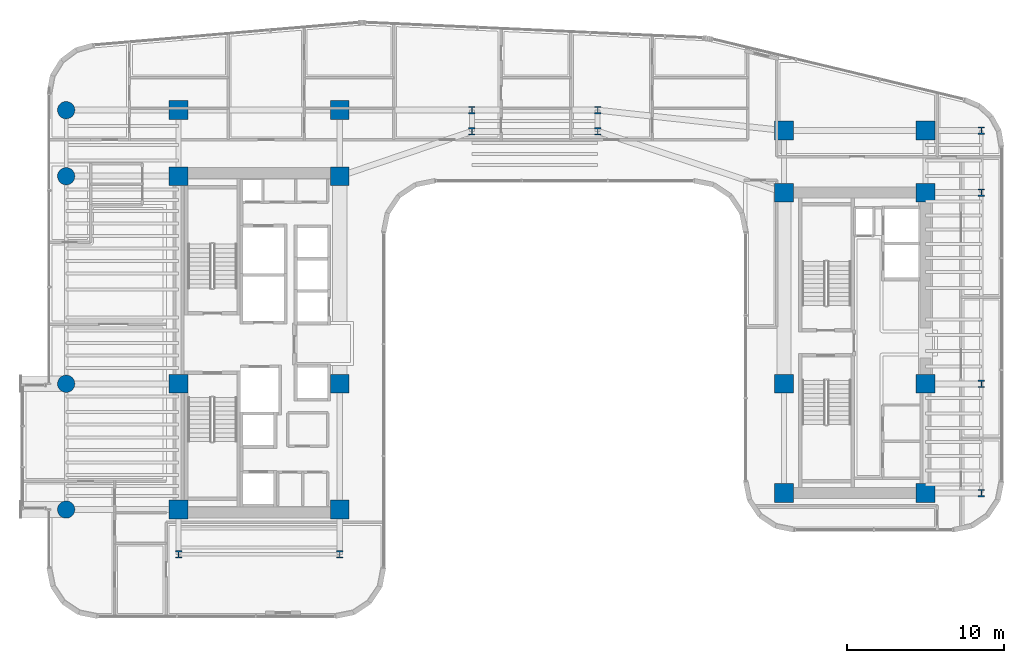
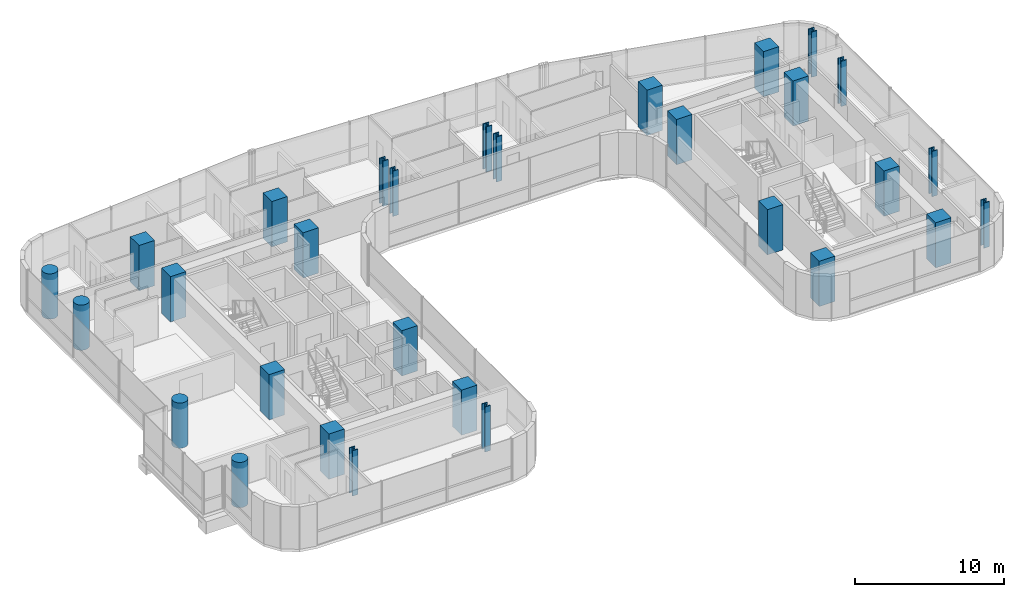
# One storey, part 1 of 38: 30 columns.
"""IFC4 building model written with IfcOpenShell, lengths in metres."""

import ifcopenshell
import ifcopenshell.guid

model = None  # the IFC model being written
_history = None  # IfcOwnerHistory: only IFC2X3 demands one
_inside = {}  # id of a spatial element -> (the spatial element, [elements in it])
_under = {}  # id of a project, library or spatial element -> (it, [spatial elements below it])
_declared = {}  # id of a project -> (the project, [libraries it declares])
_typed = {}  # id of a type object -> (the type object, [elements of that type])
_made_of = {}  # id of a material, layer set ... -> (it, [elements and type objects made of it])


def new_model(schema):
    """Start an empty IFC model of exactly this schema.

    Asked for "IFC4X3", IfcOpenShell would pick the latest addendum, in which some entities
    have other attributes; the version numbers below select the first issue.
    IFC2X3 requires an IfcOwnerHistory on every rooted entity: one is made here for all.
    """
    global model, _history
    if schema == "IFC4X3":
        model = ifcopenshell.file(schema_version=(4, 3, 0, 0))
    else:
        model = ifcopenshell.file(schema=schema)
    _inside.clear()
    _under.clear()
    _declared.clear()
    _typed.clear()
    _made_of.clear()
    _history = None
    if model.schema == "IFC2X3":
        org = make("IfcOrganization", Name="unknown")
        user = make(
            "IfcPersonAndOrganization",
            ThePerson=make("IfcPerson", FamilyName="unknown"),
            TheOrganization=org,
        )
        app = make(
            "IfcApplication",
            ApplicationDeveloper=org,
            Version="unknown",
            ApplicationFullName="unknown",
            ApplicationIdentifier="unknown",
        )
        _history = make(
            "IfcOwnerHistory",
            OwningUser=user,
            OwningApplication=app,
            ChangeAction="ADDED",
            CreationDate=0,
        )
    return model


def make(cls, **values):
    """One entity of the class cls with the attributes given. An attribute that is None is left unset."""
    return model.create_entity(
        cls, **{name: value for name, value in values.items() if value is not None}
    )


def rooted(cls, **values):
    """An entity with a GlobalId (a new one), such as an element, a storey or a relation."""
    return make(cls, GlobalId=ifcopenshell.guid.new(), OwnerHistory=_history, **values)


def si_unit(unit_type, name, prefix=None):
    """IfcSIUnit, for example si_unit("LENGTHUNIT", "METRE", prefix="MILLI")."""
    return make("IfcSIUnit", UnitType=unit_type, Prefix=prefix, Name=name)


def assignment(units):
    """IfcUnitAssignment: the units of a project."""
    return None if units is None else make("IfcUnitAssignment", Units=units)


def point(xyz):
    """IfcCartesianPoint."""
    return None if xyz is None else make("IfcCartesianPoint", Coordinates=xyz)


def direction(xyz):
    """IfcDirection."""
    return None if xyz is None else make("IfcDirection", DirectionRatios=xyz)


def frame(location, z_axis=None, x_axis=None):
    """IfcAxis2Placement3D, a coordinate frame: its origin and axes. An axis left out is left unset."""
    return make(
        "IfcAxis2Placement3D",
        Location=point(location),
        Axis=direction(z_axis),
        RefDirection=direction(x_axis),
    )


def frame_2d(location, x_axis=None):
    """IfcAxis2Placement2D, a coordinate frame in the plane: its origin and x axis."""
    return make(
        "IfcAxis2Placement2D", Location=point(location), RefDirection=direction(x_axis)
    )


def origin():
    """The frame at (0, 0, 0) with its axes left unset."""
    return frame((0.0, 0.0, 0.0))


def origin_2d():
    """The frame at (0, 0) in the plane with its x axis left unset."""
    return frame_2d((0.0, 0.0))


def place(relative_to, where):
    """IfcLocalPlacement: puts the frame where relative to a parent placement (None: the world)."""
    return make(
        "IfcLocalPlacement", PlacementRelTo=relative_to, RelativePlacement=where
    )


def context(
    kind, dimensions, precision=None, world=None, true_north=None, identifier=None
):
    """IfcGeometricRepresentationContext, for example the 3D "Model" context."""
    return make(
        "IfcGeometricRepresentationContext",
        ContextIdentifier=identifier,
        ContextType=kind,
        CoordinateSpaceDimension=dimensions,
        Precision=precision,
        WorldCoordinateSystem=world,
        TrueNorth=true_north,
    )


def subcontext(parent, identifier, kind, view, scale=None):
    """IfcGeometricRepresentationSubContext, for example "Body" below "Model"."""
    return make(
        "IfcGeometricRepresentationSubContext",
        ContextIdentifier=identifier,
        ContextType=kind,
        ParentContext=parent,
        TargetScale=scale,
        TargetView=view,
    )


def project(units=None, contexts=None):
    """IfcProject with its units and contexts."""
    return rooted(
        "IfcProject",
        Name="project",
        RepresentationContexts=contexts,
        UnitsInContext=assignment(units),
    )


def spatial(cls, under=None, at=None, **own):
    """A site, building, storey or space (cls), placed at a placement, below another one or the project."""
    s = rooted(cls, ObjectPlacement=at, **own)
    if under is not None:
        _under.setdefault(under.id(), (under, []))[1].append(s)
    return s


def profile(cls, at=None, kind="AREA", **sizes):
    """A parametric profile (cls). Its sizes go by their IFC names, for example OverallWidth=200.0."""
    return make(cls, ProfileType=kind, Position=at, **sizes)


def rectangle(**sizes):
    """IfcRectangleProfileDef."""
    return profile("IfcRectangleProfileDef", **sizes)


def circle(**sizes):
    """IfcCircleProfileDef."""
    return profile("IfcCircleProfileDef", **sizes)


def i_section(**sizes):
    """IfcIShapeProfileDef."""
    return profile("IfcIShapeProfileDef", **sizes)


def extrude(swept, where, along, depth):
    """IfcExtrudedAreaSolid: the profile swept, set in the frame where, extruded along a direction by depth."""
    return make(
        "IfcExtrudedAreaSolid",
        SweptArea=swept,
        Position=where,
        ExtrudedDirection=direction(along),
        Depth=depth,
    )


def shape(context_of_items, identifier, shape_type, items):
    """IfcShapeRepresentation: the items that make up one representation, for example the "Body"."""
    return make(
        "IfcShapeRepresentation",
        ContextOfItems=context_of_items,
        RepresentationIdentifier=identifier,
        RepresentationType=shape_type,
        Items=items,
    )


def source(mapping_origin, context_of_items, identifier, shape_type, items):
    """IfcRepresentationMap: a shape defined once, which mapped items show again and again."""
    return make(
        "IfcRepresentationMap",
        MappingOrigin=mapping_origin,
        MappedRepresentation=shape(context_of_items, identifier, shape_type, items),
    )


def transform(
    local_origin,
    x_axis=None,
    y_axis=None,
    z_axis=None,
    scale=None,
    scale2=None,
    scale3=None,
    uniform=True,
):
    """IfcCartesianTransformationOperator3D, or its non-uniform kind. x_axis, y_axis, z_axis: its Axis1, 2, 3."""
    if uniform:
        return make(
            "IfcCartesianTransformationOperator3D",
            Axis1=direction(x_axis),
            Axis2=direction(y_axis),
            LocalOrigin=point(local_origin),
            Scale=scale,
            Axis3=direction(z_axis),
        )
    return make(
        "IfcCartesianTransformationOperator3DnonUniform",
        Axis1=direction(x_axis),
        Axis2=direction(y_axis),
        LocalOrigin=point(local_origin),
        Scale=scale,
        Axis3=direction(z_axis),
        Scale2=scale2,
        Scale3=scale3,
    )


def mapped(mapping_source, mapping_target):
    """IfcMappedItem: shows the shape of a source again, moved by a transform."""
    return make(
        "IfcMappedItem", MappingSource=mapping_source, MappingTarget=mapping_target
    )


def material(Name=None, Category=None):
    """IfcMaterial."""
    return make("IfcMaterial", Name=Name, Category=Category)


def material_profile(
    of_material, cross_section, Name=None, Category=None, Priority=None
):
    """IfcMaterialProfile: a cross section and its material."""
    return make(
        "IfcMaterialProfile",
        Name=Name,
        Material=of_material,
        Profile=cross_section,
        Priority=Priority,
        Category=Category,
    )


def profile_set(profiles, Name=None, composite=None):
    """IfcMaterialProfileSet."""
    return make(
        "IfcMaterialProfileSet",
        Name=Name,
        MaterialProfiles=profiles,
        CompositeProfile=composite,
    )


def made_of(thing, what):
    """Note that an element or type object is made of a material, layer set ...; save() writes the relation."""
    if what is not None:
        _made_of.setdefault(what.id(), (what, []))[1].append(thing)
    return thing


def type_object(cls, material=None, **own):
    """A type object (cls), such as IfcWallType, which elements share."""
    return made_of(rooted(cls, **own), material)


def element(
    cls,
    number,
    at=None,
    inside=None,
    cuts=None,
    type_object=None,
    material=None,
    context=None,
    identifier="Body",
    shape_type=None,
    held_by="IfcProductDefinitionShape",
    body=None,
    shapes=None,
    **own,
):
    """One element of the class cls, such as IfcWall. Its Tag is "e" and its number.

    at: its placement. inside: the storey or other place that contains it. cuts: it is an
    opening in that element (IfcRelVoidsElement). A single representation is given by context,
    identifier, shape_type and body (its items); several are given by shapes. held_by: the class
    of the entity that holds the representations. save() writes the other relations.
    """
    e = rooted(cls, Tag="e%d" % number, ObjectPlacement=at, **own)
    if body is not None:
        shapes = [shape(context, identifier, shape_type, body)]
    if shapes is not None:
        e.Representation = make(held_by, Representations=shapes)
    if inside is not None:
        _inside.setdefault(inside.id(), (inside, []))[1].append(e)
    if cuts is not None:
        rooted(
            "IfcRelVoidsElement", RelatingBuildingElement=cuts, RelatedOpeningElement=e
        )
    if type_object is not None:
        _typed.setdefault(type_object.id(), (type_object, []))[1].append(e)
    return made_of(e, material)


def aggregate(whole, parts):
    """IfcRelAggregates: a whole, such as a stair, and the parts it consists of."""
    return rooted("IfcRelAggregates", RelatingObject=whole, RelatedObjects=parts)


def save(model, path):
    """Write the relations noted so far, then the file.

    IfcRelAggregates (storeys below a building ...), IfcRelContainedInSpatialStructure (elements
    in a storey), IfcRelDefinesByType, IfcRelAssociatesMaterial and IfcRelDeclares: one each for
    every whole, place, type object, material and project.
    """
    for whole, parts in _under.values():
        aggregate(whole, parts)
    for where, things in _inside.values():
        rooted(
            "IfcRelContainedInSpatialStructure",
            RelatedElements=things,
            RelatingStructure=where,
        )
    for kind, things in _typed.values():
        rooted("IfcRelDefinesByType", RelatedObjects=things, RelatingType=kind)
    for what, things in _made_of.values():
        rooted("IfcRelAssociatesMaterial", RelatedObjects=things, RelatingMaterial=what)
    for by, libraries in _declared.values():
        rooted("IfcRelDeclares", RelatingContext=by, RelatedDefinitions=libraries)
    model.write(path)


model = new_model("IFC4")

# Units and contexts
model_context = context("Model", 3, precision=1e-05, world=origin(), true_north=direction((0.0, 1.0)))
body_context = subcontext(model_context, "Body", "Model", "MODEL_VIEW")
ifc_project = project(units=[si_unit("LENGTHUNIT", "METRE"), si_unit("AREAUNIT", "SQUARE_METRE"), si_unit("VOLUMEUNIT", "CUBIC_METRE"), si_unit("PLANEANGLEUNIT", "RADIAN"), si_unit("MASSUNIT", "GRAM", prefix="KILO")], contexts=[model_context])

# Site, building, storey
site_placement = place(None, origin())
site = spatial("IfcSite", under=ifc_project, at=site_placement, CompositionType="ELEMENT")
building_placement = place(site_placement, origin())
building = spatial("IfcBuilding", under=site, at=building_placement, Name="Valdorenza Pilgrim Sanctuary Tower", CompositionType="ELEMENT")
storey_placement = place(building_placement, frame((0.0, 0.0, 131.60009765625)))
storey = spatial("IfcBuildingStorey", under=building, at=storey_placement, Name="L33", CompositionType="ELEMENT", Elevation=131.60009765625)

# Columns
ifc_material_1 = material(Name="Concrete C50/60", Category="concrete")
ifc_material_profile_1 = material_profile(ifc_material_1, circle(Radius=0.550048828125, at=origin_2d()), Name="RC D1100")
ifc_profile_set_1 = profile_set([ifc_material_profile_1], Name="Concrete C50/60")
column_type_1 = type_object("IfcColumnType", Name="COL-RND-1100", PredefinedType="COLUMN", material=ifc_profile_set_1)
shared_shape_1 = source(origin(), body_context, "Body", "SweptSolid", [
    extrude(circle(Radius=0.550048828125, at=origin_2d()), origin(), (0.0, 0.0, 1.0), 3.699951171875),
])
for number, where, z_axis, x_axis, name in (
    (1, (-29.800048828125, -10.60009765625, 0.0), (0.0, 0.0, 1.0), (1.0, 0.0, 0.0), "L33 Perimeter Column WA-W-S1"),
    (2, (-29.800048828125, -2.60009765625, 0.0), (0.0, 0.0, 1.0), (1.0, 0.0, 0.0), "L33 Perimeter Column WA-W-M0"),
    (3, (-29.800048828125, 10.60009765625, 0.0), (0.0, 0.0, 1.0), (1.0, 0.0, 0.0), "L33 Perimeter Column WA-W-N1"),
    (4, (-29.800048828125, 14.800048828125, 0.0), (0.0, 0.0, 1.0), (1.0, 0.0, 0.0), "L33 Perimeter Column WA-W-N2"),
):
    element("IfcColumn", number, at=place(storey_placement, frame(where, z_axis=z_axis, x_axis=x_axis)), inside=storey, type_object=column_type_1, Name=name, PredefinedType="COLUMN", context=body_context, shape_type="MappedRepresentation", body=[
        mapped(shared_shape_1, transform((0.0, 0.0, 0.0), x_axis=(1.0, 0.0, 0.0), y_axis=(0.0, 1.0, 0.0), z_axis=(0.0, 0.0, 1.0), scale=1.0)),
    ])
ifc_material_2 = material(Name="Concrete C60/75", Category="concrete")
ifc_material_profile_2 = material_profile(ifc_material_2, rectangle(XDim=1.199951171875, YDim=1.199951171875, at=origin_2d()), Name="RC 1200x1200")
ifc_profile_set_2 = profile_set([ifc_material_profile_2], Name="Concrete C60/75")
column_type_2 = type_object("IfcColumnType", Name="COL-Z2-1200", PredefinedType="COLUMN", material=ifc_profile_set_2)
shared_shape_2 = source(origin(), body_context, "Body", "SweptSolid", [
    extrude(rectangle(XDim=1.199951171875, YDim=1.199951171875, at=origin_2d()), origin(), (0.0, 0.0, 1.0), 3.699951171875),
])
for number, where, z_axis, x_axis, name in (
    (5, (-22.64990234375, -10.60009765625, 0.0), (0.0, 0.0, 1.0), (1.0, 0.0, 0.0), "L33 Column CA-W-S1"),
    (6, (-12.39990234375, -10.60009765625, 0.0), (0.0, 0.0, 1.0), (1.0, 0.0, 0.0), "L33 Column CA-E-S1"),
    (7, (-22.64990234375, -2.60009765625, 0.0), (0.0, 0.0, 1.0), (1.0, 0.0, 0.0), "L33 Column CA-W-M0"),
    (8, (-12.39990234375, -2.60009765625, 0.0), (0.0, 0.0, 1.0), (1.0, 0.0, 0.0), "L33 Column CA-E-M0"),
    (9, (-22.64990234375, 10.60009765625, 0.0), (0.0, 0.0, 1.0), (1.0, 0.0, 0.0), "L33 Column CA-W-N1"),
    (10, (-12.39990234375, 10.60009765625, 0.0), (0.0, 0.0, 1.0), (1.0, 0.0, 0.0), "L33 Column CA-E-N1"),
    (11, (-22.64990234375, 14.800048828125, 0.0), (0.0, 0.0, 1.0), (1.0, 0.0, 0.0), "L33 Column CA-W-N2"),
    (12, (-12.39990234375, 14.800048828125, 0.0), (0.0, 0.0, 1.0), (1.0, 0.0, 0.0), "L33 Column CA-E-N2"),
    (13, (15.85009765625, -9.550048828125, 0.0), (0.0, 0.0, 1.0), (1.0, 0.0, 0.0), "L33 Column CB-W-S1"),
    (14, (24.85009765625, -9.550048828125, 0.0), (0.0, 0.0, 1.0), (1.0, 0.0, 0.0), "L33 Column CB-E-S1"),
    (15, (15.85009765625, -2.60009765625, 0.0), (0.0, 0.0, 1.0), (1.0, 0.0, 0.0), "L33 Column CB-W-M0"),
    (16, (24.85009765625, -2.60009765625, 0.0), (0.0, 0.0, 1.0), (1.0, 0.0, 0.0), "L33 Column CB-E-M0"),
    (17, (15.85009765625, 9.550048828125, 0.0), (0.0, 0.0, 1.0), (1.0, 0.0, 0.0), "L33 Column CB-W-N1"),
    (18, (24.85009765625, 9.550048828125, 0.0), (0.0, 0.0, 1.0), (1.0, 0.0, 0.0), "L33 Column CB-E-N1"),
    (19, (15.85009765625, 13.5, 0.0), (0.0, 0.0, 1.0), (1.0, 0.0, 0.0), "L33 Column CB-W-N2"),
    (20, (24.85009765625, 13.5, 0.0), (0.0, 0.0, 1.0), (1.0, 0.0, 0.0), "L33 Column CB-E-N2"),
):
    element("IfcColumn", number, at=place(storey_placement, frame(where, z_axis=z_axis, x_axis=x_axis)), inside=storey, type_object=column_type_2, Name=name, PredefinedType="COLUMN", context=body_context, shape_type="MappedRepresentation", body=[
        mapped(shared_shape_2, transform((0.0, 0.0, 0.0), x_axis=(1.0, 0.0, 0.0), y_axis=(0.0, 1.0, 0.0), z_axis=(0.0, 0.0, 1.0), scale=1.0)),
    ])
ifc_material_3 = material(Name="Steel ASTM A992 Grade 50", Category="steel")
ifc_material_profile_3 = material_profile(ifc_material_3, i_section(OverallWidth=0.424072265625, OverallDepth=0.47412109375, WebThickness=0.047607421875, FlangeThickness=0.0771484375, at=origin_2d()), Name="W14X426")
ifc_profile_set_3 = profile_set([ifc_material_profile_3], Name="Steel ASTM A992 Grade 50")
column_type_3 = type_object("IfcColumnType", Name="COL-STL-W426", PredefinedType="COLUMN", material=ifc_profile_set_3)
shared_shape_3 = source(origin(), body_context, "Body", "SweptSolid", [
    extrude(i_section(OverallWidth=0.424072265625, OverallDepth=0.47412109375, WebThickness=0.047607421875, FlangeThickness=0.0771484375, at=origin_2d()), origin(), (0.0, 0.0, 1.0), 3.699951171875),
])
for number, where, z_axis, x_axis, name in (
    (21, (-22.64990234375, -13.449951171875, 0.0), (0.0, 0.0, 1.0), (1.0, 0.0, 0.0), "L33 Column WA-S-W"),
    (22, (-12.39990234375, -13.449951171875, 0.0), (0.0, 0.0, 1.0), (1.0, 0.0, 0.0), "L33 Column WA-S-E"),
    (23, (28.39990234375, -9.550048828125, 0.0), (0.0, 0.0, 1.0), (1.0, 0.0, 0.0), "L33 Perimeter Column WB-E-S1"),
    (24, (28.39990234375, -2.60009765625, 0.0), (0.0, 0.0, 1.0), (1.0, 0.0, 0.0), "L33 Perimeter Column WB-E-M0"),
    (25, (28.39990234375, 9.550048828125, 0.0), (0.0, 0.0, 1.0), (1.0, 0.0, 0.0), "L33 Perimeter Column WB-E-N1"),
    (26, (28.39990234375, 13.5, 0.0), (0.0, 0.0, 1.0), (1.0, 0.0, 0.0), "L33 Perimeter Column WB-E-N2"),
    (27, (-4.0, 13.449951171875, 0.0), (0.0, 0.0, 1.0), (1.0, 0.0, 0.0), "L33 Column KNK-W1"),
    (28, (-4.0, 14.800048828125, 0.0), (0.0, 0.0, 1.0), (1.0, 0.0, 0.0), "L33 Column KNK-W2"),
    (29, (4.0, 13.449951171875, 0.0), (0.0, 0.0, 1.0), (1.0, 0.0, 0.0), "L33 Column KNK-E1"),
    (30, (4.0, 14.800048828125, 0.0), (0.0, 0.0, 1.0), (1.0, 0.0, 0.0), "L33 Column KNK-E2"),
):
    element("IfcColumn", number, at=place(storey_placement, frame(where, z_axis=z_axis, x_axis=x_axis)), inside=storey, type_object=column_type_3, Name=name, PredefinedType="COLUMN", context=body_context, shape_type="MappedRepresentation", body=[
        mapped(shared_shape_3, transform((0.0, 0.0, 0.0), x_axis=(1.0, 0.0, 0.0), y_axis=(0.0, 1.0, 0.0), z_axis=(0.0, 0.0, 1.0), scale=1.0)),
    ])

save(model, "model.ifc")
